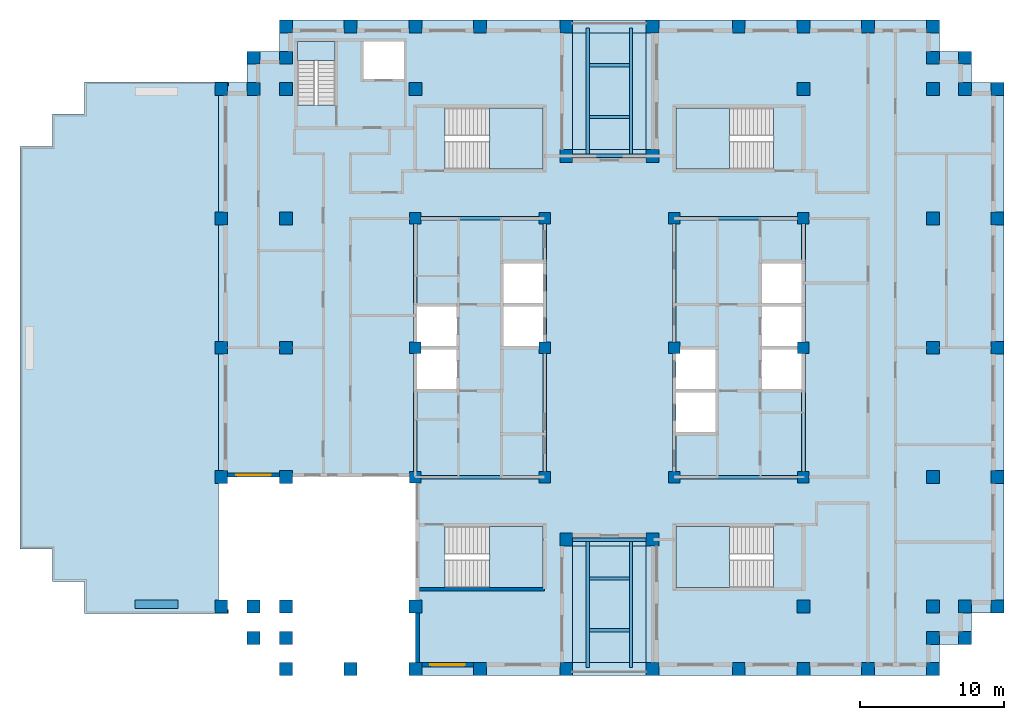
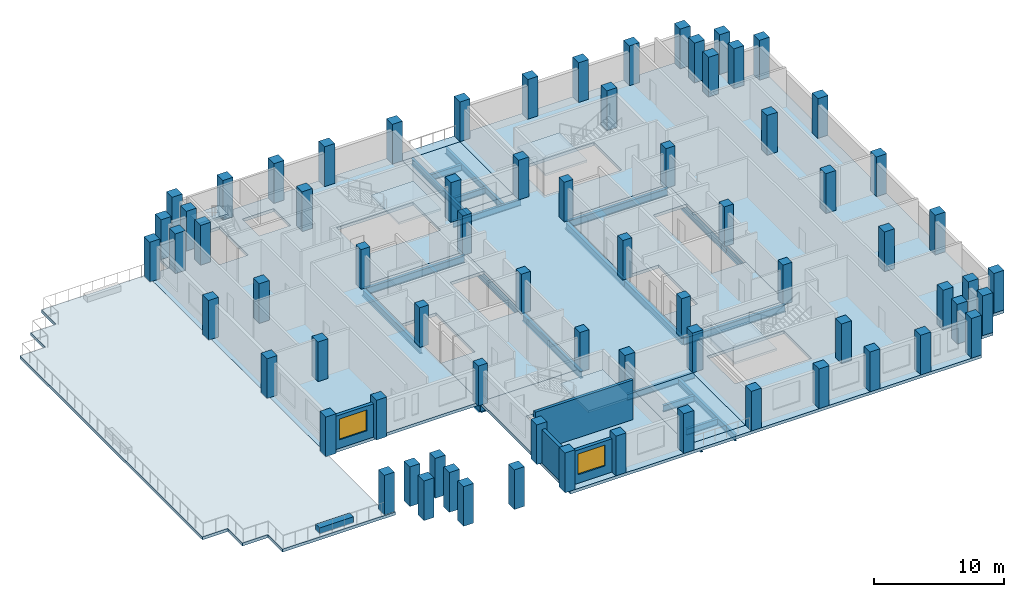
# One storey, part 1 of 10: 72 columns, 22 beams, 11 slabs, 5 walls, 2 windows, 2 openings, 5 elements without a shape of their own.
"""IFC4 building model written with IfcOpenShell, lengths in metres."""

import ifcopenshell
import ifcopenshell.guid

model = None  # the IFC model being written
_history = None  # IfcOwnerHistory: only IFC2X3 demands one
_inside = {}  # id of a spatial element -> (the spatial element, [elements in it])
_under = {}  # id of a project, library or spatial element -> (it, [spatial elements below it])
_declared = {}  # id of a project -> (the project, [libraries it declares])
_typed = {}  # id of a type object -> (the type object, [elements of that type])
_made_of = {}  # id of a material, layer set ... -> (it, [elements and type objects made of it])


def new_model(schema):
    """Start an empty IFC model of exactly this schema.

    Asked for "IFC4X3", IfcOpenShell would pick the latest addendum, in which some entities
    have other attributes; the version numbers below select the first issue.
    IFC2X3 requires an IfcOwnerHistory on every rooted entity: one is made here for all.
    """
    global model, _history
    if schema == "IFC4X3":
        model = ifcopenshell.file(schema_version=(4, 3, 0, 0))
    else:
        model = ifcopenshell.file(schema=schema)
    _inside.clear()
    _under.clear()
    _declared.clear()
    _typed.clear()
    _made_of.clear()
    _history = None
    if model.schema == "IFC2X3":
        org = make("IfcOrganization", Name="unknown")
        user = make(
            "IfcPersonAndOrganization",
            ThePerson=make("IfcPerson", FamilyName="unknown"),
            TheOrganization=org,
        )
        app = make(
            "IfcApplication",
            ApplicationDeveloper=org,
            Version="unknown",
            ApplicationFullName="unknown",
            ApplicationIdentifier="unknown",
        )
        _history = make(
            "IfcOwnerHistory",
            OwningUser=user,
            OwningApplication=app,
            ChangeAction="ADDED",
            CreationDate=0,
        )
    return model


def make(cls, **values):
    """One entity of the class cls with the attributes given. An attribute that is None is left unset."""
    return model.create_entity(
        cls, **{name: value for name, value in values.items() if value is not None}
    )


def rooted(cls, **values):
    """An entity with a GlobalId (a new one), such as an element, a storey or a relation."""
    return make(cls, GlobalId=ifcopenshell.guid.new(), OwnerHistory=_history, **values)


def si_unit(unit_type, name, prefix=None):
    """IfcSIUnit, for example si_unit("LENGTHUNIT", "METRE", prefix="MILLI")."""
    return make("IfcSIUnit", UnitType=unit_type, Prefix=prefix, Name=name)


def assignment(units):
    """IfcUnitAssignment: the units of a project."""
    return None if units is None else make("IfcUnitAssignment", Units=units)


def point(xyz):
    """IfcCartesianPoint."""
    return None if xyz is None else make("IfcCartesianPoint", Coordinates=xyz)


def direction(xyz):
    """IfcDirection."""
    return None if xyz is None else make("IfcDirection", DirectionRatios=xyz)


def frame(location, z_axis=None, x_axis=None):
    """IfcAxis2Placement3D, a coordinate frame: its origin and axes. An axis left out is left unset."""
    return make(
        "IfcAxis2Placement3D",
        Location=point(location),
        Axis=direction(z_axis),
        RefDirection=direction(x_axis),
    )


def frame_2d(location, x_axis=None):
    """IfcAxis2Placement2D, a coordinate frame in the plane: its origin and x axis."""
    return make(
        "IfcAxis2Placement2D", Location=point(location), RefDirection=direction(x_axis)
    )


def origin():
    """The frame at (0, 0, 0) with its axes left unset."""
    return frame((0.0, 0.0, 0.0))


def origin_2d():
    """The frame at (0, 0) in the plane with its x axis left unset."""
    return frame_2d((0.0, 0.0))


def place(relative_to, where):
    """IfcLocalPlacement: puts the frame where relative to a parent placement (None: the world)."""
    return make(
        "IfcLocalPlacement", PlacementRelTo=relative_to, RelativePlacement=where
    )


def context(
    kind, dimensions, precision=None, world=None, true_north=None, identifier=None
):
    """IfcGeometricRepresentationContext, for example the 3D "Model" context."""
    return make(
        "IfcGeometricRepresentationContext",
        ContextIdentifier=identifier,
        ContextType=kind,
        CoordinateSpaceDimension=dimensions,
        Precision=precision,
        WorldCoordinateSystem=world,
        TrueNorth=true_north,
    )


def subcontext(parent, identifier, kind, view, scale=None):
    """IfcGeometricRepresentationSubContext, for example "Body" below "Model"."""
    return make(
        "IfcGeometricRepresentationSubContext",
        ContextIdentifier=identifier,
        ContextType=kind,
        ParentContext=parent,
        TargetScale=scale,
        TargetView=view,
    )


def project(units=None, contexts=None):
    """IfcProject with its units and contexts."""
    return rooted(
        "IfcProject",
        Name="project",
        RepresentationContexts=contexts,
        UnitsInContext=assignment(units),
    )


def spatial(cls, under=None, at=None, **own):
    """A site, building, storey or space (cls), placed at a placement, below another one or the project."""
    s = rooted(cls, ObjectPlacement=at, **own)
    if under is not None:
        _under.setdefault(under.id(), (under, []))[1].append(s)
    return s


def polyline(points):
    """IfcPolyline through the points."""
    return make("IfcPolyline", Points=[point(p) for p in points])


def profile(cls, at=None, kind="AREA", **sizes):
    """A parametric profile (cls). Its sizes go by their IFC names, for example OverallWidth=200.0."""
    return make(cls, ProfileType=kind, Position=at, **sizes)


def rectangle(**sizes):
    """IfcRectangleProfileDef."""
    return profile("IfcRectangleProfileDef", **sizes)


def i_section(**sizes):
    """IfcIShapeProfileDef."""
    return profile("IfcIShapeProfileDef", **sizes)


def outline(outer, holes=None, kind="AREA"):
    """IfcArbitraryClosedProfileDef: a profile drawn as a closed curve; with holes, ...WithVoids."""
    if holes is None:
        return make("IfcArbitraryClosedProfileDef", ProfileType=kind, OuterCurve=outer)
    return make(
        "IfcArbitraryProfileDefWithVoids",
        ProfileType=kind,
        OuterCurve=outer,
        InnerCurves=holes,
    )


def extrude(swept, where, along, depth):
    """IfcExtrudedAreaSolid: the profile swept, set in the frame where, extruded along a direction by depth."""
    return make(
        "IfcExtrudedAreaSolid",
        SweptArea=swept,
        Position=where,
        ExtrudedDirection=direction(along),
        Depth=depth,
    )


def shape(context_of_items, identifier, shape_type, items):
    """IfcShapeRepresentation: the items that make up one representation, for example the "Body"."""
    return make(
        "IfcShapeRepresentation",
        ContextOfItems=context_of_items,
        RepresentationIdentifier=identifier,
        RepresentationType=shape_type,
        Items=items,
    )


def material(Name=None, Category=None):
    """IfcMaterial."""
    return make("IfcMaterial", Name=Name, Category=Category)


def layer(
    of_material, thickness, ventilated=None, Name=None, Category=None, Priority=None
):
    """IfcMaterialLayer: one layer of a wall or slab, of a material (None: an air gap)."""
    return make(
        "IfcMaterialLayer",
        Material=of_material,
        LayerThickness=thickness,
        IsVentilated=ventilated,
        Name=Name,
        Category=Category,
        Priority=Priority,
    )


def layer_set(layers, Name=None):
    """IfcMaterialLayerSet."""
    return make("IfcMaterialLayerSet", MaterialLayers=layers, LayerSetName=Name)


def material_profile(
    of_material, cross_section, Name=None, Category=None, Priority=None
):
    """IfcMaterialProfile: a cross section and its material."""
    return make(
        "IfcMaterialProfile",
        Name=Name,
        Material=of_material,
        Profile=cross_section,
        Priority=Priority,
        Category=Category,
    )


def profile_set(profiles, Name=None, composite=None):
    """IfcMaterialProfileSet."""
    return make(
        "IfcMaterialProfileSet",
        Name=Name,
        MaterialProfiles=profiles,
        CompositeProfile=composite,
    )


def made_of(thing, what):
    """Note that an element or type object is made of a material, layer set ...; save() writes the relation."""
    if what is not None:
        _made_of.setdefault(what.id(), (what, []))[1].append(thing)
    return thing


def type_object(cls, material=None, **own):
    """A type object (cls), such as IfcWallType, which elements share."""
    return made_of(rooted(cls, **own), material)


def element(
    cls,
    number,
    at=None,
    inside=None,
    cuts=None,
    type_object=None,
    material=None,
    context=None,
    identifier="Body",
    shape_type=None,
    held_by="IfcProductDefinitionShape",
    body=None,
    shapes=None,
    **own,
):
    """One element of the class cls, such as IfcWall. Its Tag is "e" and its number.

    at: its placement. inside: the storey or other place that contains it. cuts: it is an
    opening in that element (IfcRelVoidsElement). A single representation is given by context,
    identifier, shape_type and body (its items); several are given by shapes. held_by: the class
    of the entity that holds the representations. save() writes the other relations.
    """
    e = rooted(cls, Tag="e%d" % number, ObjectPlacement=at, **own)
    if body is not None:
        shapes = [shape(context, identifier, shape_type, body)]
    if shapes is not None:
        e.Representation = make(held_by, Representations=shapes)
    if inside is not None:
        _inside.setdefault(inside.id(), (inside, []))[1].append(e)
    if cuts is not None:
        rooted(
            "IfcRelVoidsElement", RelatingBuildingElement=cuts, RelatedOpeningElement=e
        )
    if type_object is not None:
        _typed.setdefault(type_object.id(), (type_object, []))[1].append(e)
    return made_of(e, material)


def fill(opening, filler):
    """IfcRelFillsElement: the door or window that sits in an opening."""
    return rooted(
        "IfcRelFillsElement",
        RelatingOpeningElement=opening,
        RelatedBuildingElement=filler,
    )


def aggregate(whole, parts):
    """IfcRelAggregates: a whole, such as a stair, and the parts it consists of."""
    return rooted("IfcRelAggregates", RelatingObject=whole, RelatedObjects=parts)


def save(model, path):
    """Write the relations noted so far, then the file.

    IfcRelAggregates (storeys below a building ...), IfcRelContainedInSpatialStructure (elements
    in a storey), IfcRelDefinesByType, IfcRelAssociatesMaterial and IfcRelDeclares: one each for
    every whole, place, type object, material and project.
    """
    for whole, parts in _under.values():
        aggregate(whole, parts)
    for where, things in _inside.values():
        rooted(
            "IfcRelContainedInSpatialStructure",
            RelatedElements=things,
            RelatingStructure=where,
        )
    for kind, things in _typed.values():
        rooted("IfcRelDefinesByType", RelatedObjects=things, RelatingType=kind)
    for what, things in _made_of.values():
        rooted("IfcRelAssociatesMaterial", RelatedObjects=things, RelatingMaterial=what)
    for by, libraries in _declared.values():
        rooted("IfcRelDeclares", RelatingContext=by, RelatedDefinitions=libraries)
    model.write(path)


model = new_model("IFC4")

# Units and contexts
model_context = context("Model", 3, precision=1e-05, world=origin(), true_north=direction((0.0, 1.0)))
body_context = subcontext(model_context, "Body", "Model", "MODEL_VIEW")
ifc_project = project(units=[si_unit("LENGTHUNIT", "METRE"), si_unit("AREAUNIT", "SQUARE_METRE"), si_unit("VOLUMEUNIT", "CUBIC_METRE"), si_unit("PLANEANGLEUNIT", "RADIAN"), si_unit("MASSUNIT", "GRAM", prefix="KILO")], contexts=[model_context])

# Site, building, storey
site_placement = place(None, origin())
site = spatial("IfcSite", under=ifc_project, at=site_placement, CompositionType="ELEMENT")
building_placement = place(site_placement, origin())
building = spatial("IfcBuilding", under=site, at=building_placement, Name="Corbelhall Arena Tower", CompositionType="ELEMENT")
storey_placement = place(building_placement, frame((0.0, 0.0, 242.0)))
storey = spatial("IfcBuildingStorey", under=building, at=storey_placement, Name="L51", CompositionType="ELEMENT", Elevation=242.0)

# Columns
ifc_material_1 = material(Name="Concrete C80/95", Category="concrete")
ifc_material_profile_1 = material_profile(ifc_material_1, rectangle(XDim=0.800048828125, YDim=0.800048828125, at=origin_2d()))
ifc_profile_set_1 = profile_set([ifc_material_profile_1], Name="Concrete C80/95")
column_type_1 = type_object("IfcColumnType", Name="ST-COL-RC 800x800", PredefinedType="COLUMN", material=ifc_profile_set_1)
for number, where, z_axis, x_axis, name in (
    (1, (4.5, 0.0, 0.0), (0.0, 0.0, 1.0), (1.0, 0.0, 0.0), "Column KE+0450+0000"),
    (2, (4.5, 9.0, 0.0), (0.0, 0.0, 1.0), (1.0, 0.0, 0.0), "Column KE+0450+0900"),
    (3, (4.5, -9.0, 0.0), (0.0, 0.0, 1.0), (1.0, 0.0, 0.0), "Column KE+0450-0900"),
    (4, (13.5, 0.0, 0.0), (0.0, 0.0, 1.0), (1.0, 0.0, 0.0), "Column KE+1350+0000"),
    (5, (13.5, 9.0, 0.0), (0.0, 0.0, 1.0), (1.0, 0.0, 0.0), "Column KE+1350+0900"),
    (6, (13.5, -9.0, 0.0), (0.0, 0.0, 1.0), (1.0, 0.0, 0.0), "Column KE+1350-0900"),
    (7, (-4.5, 0.0, 0.0), (0.0, 0.0, 1.0), (1.0, 0.0, 0.0), "Column KW-0450+0000"),
    (8, (-4.5, 9.0, 0.0), (0.0, 0.0, 1.0), (1.0, 0.0, 0.0), "Column KW-0450+0900"),
    (9, (-4.5, -9.0, 0.0), (0.0, 0.0, 1.0), (1.0, 0.0, 0.0), "Column KW-0450-0900"),
    (10, (-13.5, 0.0, 0.0), (0.0, 0.0, 1.0), (1.0, 0.0, 0.0), "Column KW-1350+0000"),
    (11, (-13.5, 9.0, 0.0), (0.0, 0.0, 1.0), (1.0, 0.0, 0.0), "Column KW-1350+0900"),
    (12, (-13.5, -9.0, 0.0), (0.0, 0.0, 1.0), (1.0, 0.0, 0.0), "Column KW-1350-0900"),
):
    element("IfcColumn", number, at=place(storey_placement, frame(where, z_axis=z_axis, x_axis=x_axis)), inside=storey, type_object=column_type_1, Name=name, PredefinedType="COLUMN", context=body_context, shape_type="SweptSolid", body=[
        extrude(rectangle(XDim=0.800048828125, YDim=0.800048828125, at=origin_2d()), origin(), (0.0, 0.0, 1.0), 3.719970703125),
    ])
ifc_material_profile_2 = material_profile(ifc_material_1, rectangle(XDim=0.89990234375, YDim=0.89990234375, at=origin_2d()))
ifc_profile_set_2 = profile_set([ifc_material_profile_2], Name="Concrete C80/95")
column_type_2 = type_object("IfcColumnType", Name="ST-COL-RC 900x900", PredefinedType="COLUMN", material=ifc_profile_set_2)
for number, where, z_axis, x_axis, name in (
    (13, (13.5, 18.0, 0.0), (0.0, 0.0, 1.0), (1.0, 0.0, 0.0), "Column IE13+1800"),
    (14, (13.5, -18.0, 0.0), (0.0, 0.0, 1.0), (1.0, 0.0, 0.0), "Column IE13-1800"),
    (15, (22.5, 0.0, 0.0), (0.0, 0.0, 1.0), (1.0, 0.0, 0.0), "Column IE22+0000"),
    (16, (22.5, 9.0, 0.0), (0.0, 0.0, 1.0), (1.0, 0.0, 0.0), "Column IE22+0900"),
    (17, (22.5, 18.0, 0.0), (0.0, 0.0, 1.0), (1.0, 0.0, 0.0), "Column IE22+1800"),
    (18, (22.5, -9.0, 0.0), (0.0, 0.0, 1.0), (1.0, 0.0, 0.0), "Column IE22-0900"),
    (19, (22.5, -18.0, 0.0), (0.0, 0.0, 1.0), (1.0, 0.0, 0.0), "Column IE22-1800"),
    (20, (-13.5, 18.0, 0.0), (0.0, 0.0, 1.0), (1.0, 0.0, 0.0), "Column IW13+1800"),
    (21, (-13.5, -18.0, 0.0), (0.0, 0.0, 1.0), (1.0, 0.0, 0.0), "Column IW13-1800"),
    (22, (-22.5, 0.0, 0.0), (0.0, 0.0, 1.0), (1.0, 0.0, 0.0), "Column IW22+0000"),
    (23, (-22.5, 9.0, 0.0), (0.0, 0.0, 1.0), (1.0, 0.0, 0.0), "Column IW22+0900"),
    (24, (-22.5, 18.0, 0.0), (0.0, 0.0, 1.0), (1.0, 0.0, 0.0), "Column IW22+1800"),
    (25, (-22.5, -9.0, 0.0), (0.0, 0.0, 1.0), (1.0, 0.0, 0.0), "Column IW22-0900"),
    (26, (-22.5, -18.0, 0.0), (0.0, 0.0, 1.0), (1.0, 0.0, 0.0), "Column IW22-1800"),
    (27, (27.0, 0.0, 0.0), (0.0, 0.0, 1.0), (0.0, 1.0, 0.0), "Column PE+0000"),
    (28, (27.0, 9.0, 0.0), (0.0, 0.0, 1.0), (0.0, 1.0, 0.0), "Column PE+0900"),
    (29, (27.0, 18.0, 0.0), (0.0, 0.0, 1.0), (0.0, 1.0, 0.0), "Column PE+1800"),
    (30, (27.0, -9.0, 0.0), (0.0, 0.0, 1.0), (0.0, 1.0, 0.0), "Column PE-0900"),
    (31, (27.0, -18.0, 0.0), (0.0, 0.0, 1.0), (0.0, 1.0, 0.0), "Column PE-1800"),
    (32, (3.0, 22.35009765625, 0.0), (0.0, 0.0, 1.0), (1.0, 0.0, 0.0), "Column PNE0300"),
    (33, (9.0, 22.35009765625, 0.0), (0.0, 0.0, 1.0), (1.0, 0.0, 0.0), "Column PNE0900"),
    (34, (13.5, 22.35009765625, 0.0), (0.0, 0.0, 1.0), (1.0, 0.0, 0.0), "Column PNE1350"),
    (35, (18.0, 22.35009765625, 0.0), (0.0, 0.0, 1.0), (1.0, 0.0, 0.0), "Column PNE1800"),
    (36, (22.5, 22.35009765625, 0.0), (0.0, 0.0, 1.0), (1.0, 0.0, 0.0), "Column PNE2250"),
    (37, (-3.0, 22.35009765625, 0.0), (0.0, 0.0, 1.0), (1.0, 0.0, 0.0), "Column PNW0300"),
    (38, (-9.0, 22.35009765625, 0.0), (0.0, 0.0, 1.0), (1.0, 0.0, 0.0), "Column PNW0900"),
    (39, (-13.5, 22.35009765625, 0.0), (0.0, 0.0, 1.0), (1.0, 0.0, 0.0), "Column PNW1350"),
    (40, (-18.0, 22.35009765625, 0.0), (0.0, 0.0, 1.0), (1.0, 0.0, 0.0), "Column PNW1800"),
    (41, (-22.5, 22.35009765625, 0.0), (0.0, 0.0, 1.0), (1.0, 0.0, 0.0), "Column PNW2250"),
    (42, (3.0, -22.35009765625, 0.0), (0.0, 0.0, 1.0), (1.0, 0.0, 0.0), "Column PSE0300"),
    (43, (9.0, -22.35009765625, 0.0), (0.0, 0.0, 1.0), (1.0, 0.0, 0.0), "Column PSE0900"),
    (44, (13.5, -22.35009765625, 0.0), (0.0, 0.0, 1.0), (1.0, 0.0, 0.0), "Column PSE1350"),
    (45, (18.0, -22.35009765625, 0.0), (0.0, 0.0, 1.0), (1.0, 0.0, 0.0), "Column PSE1800"),
    (46, (22.5, -22.35009765625, 0.0), (0.0, 0.0, 1.0), (1.0, 0.0, 0.0), "Column PSE2250"),
    (47, (-3.0, -22.35009765625, 0.0), (0.0, 0.0, 1.0), (1.0, 0.0, 0.0), "Column PSW0300"),
    (48, (-9.0, -22.35009765625, 0.0), (0.0, 0.0, 1.0), (1.0, 0.0, 0.0), "Column PSW0900"),
    (49, (-13.5, -22.35009765625, 0.0), (0.0, 0.0, 1.0), (1.0, 0.0, 0.0), "Column PSW1350"),
    (50, (-18.0, -22.35009765625, 0.0), (0.0, 0.0, 1.0), (1.0, 0.0, 0.0), "Column PSW1800"),
    (51, (-22.5, -22.35009765625, 0.0), (0.0, 0.0, 1.0), (1.0, 0.0, 0.0), "Column PSW2250"),
    (52, (-27.0, 0.0, 0.0), (0.0, 0.0, 1.0), (0.0, 1.0, 0.0), "Column PW+0000"),
    (53, (-27.0, 9.0, 0.0), (0.0, 0.0, 1.0), (0.0, 1.0, 0.0), "Column PW+0900"),
    (54, (-27.0, 18.0, 0.0), (0.0, 0.0, 1.0), (0.0, 1.0, 0.0), "Column PW+1800"),
    (55, (-27.0, -9.0, 0.0), (0.0, 0.0, 1.0), (0.0, 1.0, 0.0), "Column PW-0900"),
    (56, (-27.0, -18.0, 0.0), (0.0, 0.0, 1.0), (0.0, 1.0, 0.0), "Column PW-1800"),
    (57, (3.0, 13.35009765625, 0.0), (0.0, 0.0, 1.0), (1.0, 0.0, 0.0), "Column SLNE2"),
    (58, (-3.0, 13.35009765625, 0.0), (0.0, 0.0, 1.0), (1.0, 0.0, 0.0), "Column SLNW2"),
    (59, (3.0, -13.35009765625, 0.0), (0.0, 0.0, 1.0), (1.0, 0.0, 0.0), "Column SLSE2"),
    (60, (-3.0, -13.35009765625, 0.0), (0.0, 0.0, 1.0), (1.0, 0.0, 0.0), "Column SLSW2"),
    (61, (22.5, 20.175048828125, 0.0), (0.0, 0.0, 1.0), (1.0, 0.0, 0.0), "Column XNE1"),
    (62, (24.75, 20.175048828125, 0.0), (0.0, 0.0, 1.0), (1.0, 0.0, 0.0), "Column XNE2"),
    (63, (24.75, 18.0, 0.0), (0.0, 0.0, 1.0), (1.0, 0.0, 0.0), "Column XNE3"),
    (64, (-22.5, 20.175048828125, 0.0), (0.0, 0.0, 1.0), (1.0, 0.0, 0.0), "Column XNW1"),
    (65, (-24.75, 20.175048828125, 0.0), (0.0, 0.0, 1.0), (1.0, 0.0, 0.0), "Column XNW2"),
    (66, (-24.75, 18.0, 0.0), (0.0, 0.0, 1.0), (1.0, 0.0, 0.0), "Column XNW3"),
    (67, (22.5, -20.175048828125, 0.0), (0.0, 0.0, 1.0), (1.0, 0.0, 0.0), "Column XSE1"),
    (68, (24.75, -20.175048828125, 0.0), (0.0, 0.0, 1.0), (1.0, 0.0, 0.0), "Column XSE2"),
    (69, (24.75, -18.0, 0.0), (0.0, 0.0, 1.0), (1.0, 0.0, 0.0), "Column XSE3"),
    (70, (-22.5, -20.175048828125, 0.0), (0.0, 0.0, 1.0), (1.0, 0.0, 0.0), "Column XSW1"),
    (71, (-24.75, -20.175048828125, 0.0), (0.0, 0.0, 1.0), (1.0, 0.0, 0.0), "Column XSW2"),
    (72, (-24.75, -18.0, 0.0), (0.0, 0.0, 1.0), (1.0, 0.0, 0.0), "Column XSW3"),
):
    element("IfcColumn", number, at=place(storey_placement, frame(where, z_axis=z_axis, x_axis=x_axis)), inside=storey, type_object=column_type_2, Name=name, PredefinedType="COLUMN", context=body_context, shape_type="SweptSolid", body=[
        extrude(rectangle(XDim=0.89990234375, YDim=0.89990234375, at=origin_2d()), origin(), (0.0, 0.0, 1.0), 3.719970703125),
    ])

# Beams
ifc_material_2 = material(Name="Steel ASTM A992 Gr50", Category="steel")
ifc_material_profile_3 = material_profile(ifc_material_2, i_section(OverallWidth=0.227783203125, OverallDepth=0.60205078125, WebThickness=0.010498046875, FlangeThickness=0.014892578125, at=origin_2d()))
ifc_profile_set_3 = profile_set([ifc_material_profile_3], Name="Steel ASTM A992 Gr50")
beam_type_1 = type_object("IfcBeamType", Name="ST-BEAM-W24x68", PredefinedType="BEAM", material=ifc_profile_set_3)
beam_1_placement = place(storey_placement, frame((-3.0, 13.35009765625, -0.5810546875), z_axis=(1.0, 0.0, 0.0), x_axis=(0.0, 1.0, 0.0)))
element("IfcBeam", 73, at=beam_1_placement, inside=storey, type_object=beam_type_1, Name="Beam SFN 1", PredefinedType="BEAM", context=body_context, shape_type="SweptSolid", body=[
    extrude(i_section(OverallWidth=0.227783203125, OverallDepth=0.60205078125, WebThickness=0.010498046875, FlangeThickness=0.014892578125, at=origin_2d()), origin(), (0.0, 0.0, 1.0), 6.0),
])
for number, where, z_axis, x_axis, name in (
    (74, (-1.5, 13.4638671875, -0.5810546875), (0.0, 1.0, 0.0), (-1.0, 0.0, 0.0), "Beam SFN 2"),
    (75, (1.5, 13.4638671875, -0.5810546875), (0.0, 1.0, 0.0), (-1.0, 0.0, 0.0), "Beam SFN 3"),
):
    element("IfcBeam", number, at=place(storey_placement, frame(where, z_axis=z_axis, x_axis=x_axis)), inside=storey, type_object=beam_type_1, Name=name, PredefinedType="BEAM", context=body_context, shape_type="SweptSolid", body=[
        extrude(i_section(OverallWidth=0.227783203125, OverallDepth=0.60205078125, WebThickness=0.010498046875, FlangeThickness=0.014892578125, at=origin_2d()), origin(), (0.0, 0.0, 1.0), 8.772216796875),
    ])
for number, where, z_axis, x_axis, name in (
    (76, (-1.385986328125, 16.050048828125, -0.5810546875), (1.0, 0.0, 0.0), (0.0, 1.0, 0.0), "Beam SFN 4"),
    (77, (-1.385986328125, 19.64990234375, -0.5810546875), (1.0, 0.0, 0.0), (0.0, 1.0, 0.0), "Beam SFN 5"),
):
    element("IfcBeam", number, at=place(storey_placement, frame(where, z_axis=z_axis, x_axis=x_axis)), inside=storey, type_object=beam_type_1, Name=name, PredefinedType="BEAM", context=body_context, shape_type="SweptSolid", body=[
        extrude(i_section(OverallWidth=0.227783203125, OverallDepth=0.60205078125, WebThickness=0.010498046875, FlangeThickness=0.014892578125, at=origin_2d()), origin(), (0.0, 0.0, 1.0), 2.77197265625),
    ])
beam_2_placement = place(storey_placement, frame((-3.0, -13.35009765625, -0.5810546875), z_axis=(1.0, 0.0, 0.0), x_axis=(0.0, 1.0, 0.0)))
element("IfcBeam", 78, at=beam_2_placement, inside=storey, type_object=beam_type_1, Name="Beam SFS 1", PredefinedType="BEAM", context=body_context, shape_type="SweptSolid", body=[
    extrude(i_section(OverallWidth=0.227783203125, OverallDepth=0.60205078125, WebThickness=0.010498046875, FlangeThickness=0.014892578125, at=origin_2d()), origin(), (0.0, 0.0, 1.0), 6.0),
])
for number, where, z_axis, x_axis, name in (
    (79, (-1.5, -13.4638671875, -0.5810546875), (0.0, -1.0, 0.0), (1.0, 0.0, 0.0), "Beam SFS 2"),
    (80, (1.5, -13.4638671875, -0.5810546875), (0.0, -1.0, 0.0), (1.0, 0.0, 0.0), "Beam SFS 3"),
):
    element("IfcBeam", number, at=place(storey_placement, frame(where, z_axis=z_axis, x_axis=x_axis)), inside=storey, type_object=beam_type_1, Name=name, PredefinedType="BEAM", context=body_context, shape_type="SweptSolid", body=[
        extrude(i_section(OverallWidth=0.227783203125, OverallDepth=0.60205078125, WebThickness=0.010498046875, FlangeThickness=0.014892578125, at=origin_2d()), origin(), (0.0, 0.0, 1.0), 8.772216796875),
    ])
for number, where, z_axis, x_axis, name in (
    (81, (-1.385986328125, -16.050048828125, -0.5810546875), (1.0, 0.0, 0.0), (0.0, 1.0, 0.0), "Beam SFS 4"),
    (82, (-1.385986328125, -19.64990234375, -0.5810546875), (1.0, 0.0, 0.0), (0.0, 1.0, 0.0), "Beam SFS 5"),
):
    element("IfcBeam", number, at=place(storey_placement, frame(where, z_axis=z_axis, x_axis=x_axis)), inside=storey, type_object=beam_type_1, Name=name, PredefinedType="BEAM", context=body_context, shape_type="SweptSolid", body=[
        extrude(i_section(OverallWidth=0.227783203125, OverallDepth=0.60205078125, WebThickness=0.010498046875, FlangeThickness=0.014892578125, at=origin_2d()), origin(), (0.0, 0.0, 1.0), 2.77197265625),
    ])
ifc_material_profile_4 = material_profile(ifc_material_2, i_section(OverallWidth=0.25390625, OverallDepth=0.67822265625, WebThickness=0.01171875, FlangeThickness=0.016357421875, at=origin_2d()))
ifc_profile_set_4 = profile_set([ifc_material_profile_4], Name="Steel ASTM A992 Gr50")
beam_type_2 = type_object("IfcBeamType", Name="ST-BEAM-W27x84", PredefinedType="BEAM", material=ifc_profile_set_4)
for number, where, z_axis, x_axis, name in (
    (83, (-13.5, -9.0, -0.619140625), (0.0, 1.0, 0.0), (-1.0, 0.0, 0.0), "Beam CEW 1"),
    (84, (-13.5, 0.0, -0.619140625), (0.0, 1.0, 0.0), (-1.0, 0.0, 0.0), "Beam CEW 2"),
    (85, (-4.5, -9.0, -0.619140625), (0.0, 1.0, 0.0), (-1.0, 0.0, 0.0), "Beam CEW 3"),
    (86, (-4.5, 0.0, -0.619140625), (0.0, 1.0, 0.0), (-1.0, 0.0, 0.0), "Beam CEW 4"),
    (87, (-13.5, -9.0, -0.619140625), (1.0, 0.0, 0.0), (0.0, 1.0, 0.0), "Beam CEW 5"),
    (88, (-13.5, 9.0, -0.619140625), (1.0, 0.0, 0.0), (0.0, 1.0, 0.0), "Beam CEW 6"),
    (89, (4.5, -9.0, -0.619140625), (0.0, 1.0, 0.0), (-1.0, 0.0, 0.0), "Beam CEE 7"),
    (90, (4.5, 0.0, -0.619140625), (0.0, 1.0, 0.0), (-1.0, 0.0, 0.0), "Beam CEE 8"),
    (91, (13.5, -9.0, -0.619140625), (0.0, 1.0, 0.0), (-1.0, 0.0, 0.0), "Beam CEE 9"),
    (92, (13.5, 0.0, -0.619140625), (0.0, 1.0, 0.0), (-1.0, 0.0, 0.0), "Beam CEE 10"),
    (93, (4.5, -9.0, -0.619140625), (1.0, 0.0, 0.0), (0.0, 1.0, 0.0), "Beam CEE 11"),
    (94, (4.5, 9.0, -0.619140625), (1.0, 0.0, 0.0), (0.0, 1.0, 0.0), "Beam CEE 12"),
):
    element("IfcBeam", number, at=place(storey_placement, frame(where, z_axis=z_axis, x_axis=x_axis)), inside=storey, type_object=beam_type_2, Name=name, PredefinedType="BEAM", context=body_context, shape_type="SweptSolid", body=[
        extrude(i_section(OverallWidth=0.25390625, OverallDepth=0.67822265625, WebThickness=0.01171875, FlangeThickness=0.016357421875, at=origin_2d()), origin(), (0.0, 0.0, 1.0), 9.0),
    ])

# Slabs
ifc_material_3 = material(Name="Concrete C40/50", Category="concrete")
ifc_layer_1 = layer(ifc_material_3, 0.300048828125)
ifc_layer_set_1 = layer_set([ifc_layer_1], Name="IN-SL-CORE")
slab_type_1 = type_object("IfcSlabType", Name="IN-SL-CORE", PredefinedType="FLOOR", material=ifc_layer_set_1)
slab_1_placement = place(storey_placement, frame((0.0, 0.0, -0.280029296875)))
element("IfcSlab", 95, at=slab_1_placement, inside=storey, type_object=slab_type_1, Name="Core floor W", PredefinedType="FLOOR", context=body_context, shape_type="SweptSolid", body=[
    extrude(outline(polyline([(-10.5, -3.0), (-13.5, -3.0), (-13.5, -9.0), (-4.5, -9.0), (-4.5, 0.0), (-7.5, 0.0), (-7.5, 3.0), (-7.5, 6.0), (-4.5, 6.0), (-4.5, 9.0), (-13.5, 9.0), (-13.5, 3.0), (-10.5, 3.0), (-10.5, 0.0), (-10.5, -3.0)])), origin(), (0.0, 0.0, 1.0), 0.280029296875),
])
slab_2_placement = place(storey_placement, frame((0.0, 0.0, -0.280029296875)))
element("IfcSlab", 96, at=slab_2_placement, inside=storey, type_object=slab_type_1, Name="Core floor E", PredefinedType="FLOOR", context=body_context, shape_type="SweptSolid", body=[
    extrude(outline(polyline([(13.5, -3.0), (10.5, -3.0), (10.5, 0.0), (10.5, 3.0), (10.5, 6.0), (13.5, 6.0), (13.5, 9.0), (4.5, 9.0), (4.5, 0.0), (7.5, 0.0), (7.5, -3.0), (7.5, -6.0), (4.5, -6.0), (4.5, -9.0), (13.5, -9.0), (13.5, -3.0)])), origin(), (0.0, 0.0, 1.0), 0.280029296875),
])

# Stair, slab
stair_type = type_object("IfcStairType", Name="IN-ST-TOWER", PredefinedType="HALF_TURN_STAIR", material=ifc_material_3)
stair_1_placement = place(storey_placement, origin())
stair_1 = element("IfcStair", 97, at=stair_1_placement, inside=storey, type_object=stair_type, Name="L51 Exit stair ST1", PredefinedType="HALF_TURN_STAIR")
ifc_layer_2 = layer(ifc_material_3, 0.199951171875)
ifc_layer_set_2 = layer_set([ifc_layer_2], Name="IN-SL-LANDING")
slab_type_2 = type_object("IfcSlabType", Name="IN-SL-LANDING", PredefinedType="LANDING", material=ifc_layer_set_2)
slab_3_placement = place(storey_placement, frame((0.0, 0.0, 1.800048828125)))
slab_3 = element("IfcSlab", 98, at=slab_3_placement, type_object=slab_type_2, Name="ST1 landing 1", PredefinedType="LANDING", context=body_context, shape_type="SweptSolid", body=[
    extrude(outline(polyline([(-8.344970703125, 12.425048828125), (-4.625, 12.425048828125), (-4.625, 16.675048828125), (-8.344970703125, 16.675048828125), (-8.344970703125, 12.425048828125)])), origin(), (0.0, 0.0, 1.0), 0.199951171875),
])
aggregate(stair_1, [slab_3])

stair_2_placement = place(storey_placement, origin())
stair_2 = element("IfcStair", 99, at=stair_2_placement, inside=storey, type_object=stair_type, Name="L51 Exit stair ST2", PredefinedType="HALF_TURN_STAIR")
slab_4_placement = place(storey_placement, frame((0.0, 0.0, 1.800048828125)))
slab_4 = element("IfcSlab", 100, at=slab_4_placement, type_object=slab_type_2, Name="ST2 landing 1", PredefinedType="LANDING", context=body_context, shape_type="SweptSolid", body=[
    extrude(outline(polyline([(-8.344970703125, -16.675048828125), (-4.625, -16.675048828125), (-4.625, -12.425048828125), (-8.344970703125, -12.425048828125), (-8.344970703125, -16.675048828125)])), origin(), (0.0, 0.0, 1.0), 0.199951171875),
])
aggregate(stair_2, [slab_4])

stair_3_placement = place(storey_placement, origin())
stair_3 = element("IfcStair", 101, at=stair_3_placement, inside=storey, type_object=stair_type, Name="L51 Exit stair ST3", PredefinedType="HALF_TURN_STAIR")
slab_5_placement = place(storey_placement, frame((0.0, 0.0, 1.800048828125)))
slab_5 = element("IfcSlab", 102, at=slab_5_placement, type_object=slab_type_2, Name="ST3 landing 1", PredefinedType="LANDING", context=body_context, shape_type="SweptSolid", body=[
    extrude(outline(polyline([(8.344970703125, 16.675048828125), (4.625, 16.675048828125), (4.625, 12.425048828125), (8.344970703125, 12.425048828125), (8.344970703125, 16.675048828125)])), origin(), (0.0, 0.0, 1.0), 0.199951171875),
])
aggregate(stair_3, [slab_5])

stair_4_placement = place(storey_placement, origin())
stair_4 = element("IfcStair", 103, at=stair_4_placement, inside=storey, type_object=stair_type, Name="L51 Exit stair ST4", PredefinedType="HALF_TURN_STAIR")
slab_6_placement = place(storey_placement, frame((0.0, 0.0, 1.800048828125)))
slab_6 = element("IfcSlab", 104, at=slab_6_placement, type_object=slab_type_2, Name="ST4 landing 1", PredefinedType="LANDING", context=body_context, shape_type="SweptSolid", body=[
    extrude(outline(polyline([(8.344970703125, -12.425048828125), (4.625, -12.425048828125), (4.625, -16.675048828125), (8.344970703125, -16.675048828125), (8.344970703125, -12.425048828125)])), origin(), (0.0, 0.0, 1.0), 0.199951171875),
])
aggregate(stair_4, [slab_6])

stair_5_placement = place(storey_placement, origin())
stair_5 = element("IfcStair", 105, at=stair_5_placement, inside=storey, type_object=stair_type, Name="L51 Exit stair ST5", PredefinedType="HALF_TURN_STAIR")
slab_7_placement = place(storey_placement, frame((0.0, 0.0, 1.800048828125)))
slab_7 = element("IfcSlab", 106, at=slab_7_placement, type_object=slab_type_2, Name="ST5 landing 1", PredefinedType="LANDING", context=body_context, shape_type="SweptSolid", body=[
    extrude(outline(polyline([(-19.094970703125, 19.97998046875), (-19.094970703125, 21.300048828125), (-21.695068359375, 21.300048828125), (-21.695068359375, 19.97998046875), (-19.094970703125, 19.97998046875)])), origin(), (0.0, 0.0, 1.0), 0.199951171875),
])
aggregate(stair_5, [slab_7])

# Slabs
ifc_layer_3 = layer(ifc_material_3, 0.280029296875)
ifc_layer_set_3 = layer_set([ifc_layer_3], Name="ST-SLAB-FLOOR-280")
slab_type_3 = type_object("IfcSlabType", Name="ST-SLAB-FLOOR-280", PredefinedType="FLOOR", material=ifc_layer_set_3)
slab_8_placement = place(storey_placement, frame((0.0, 0.0, -0.280029296875)))
element("IfcSlab", 107, at=slab_8_placement, inside=storey, type_object=slab_type_3, Name="Floor slab L51 1", PredefinedType="FLOOR", context=body_context, shape_type="SweptSolid", body=[
    extrude(outline(polyline([(25.199951171875, -20.625), (25.199951171875, -18.449951171875), (27.449951171875, -18.449951171875), (27.449951171875, 18.449951171875), (25.199951171875, 18.449951171875), (25.199951171875, 20.625), (22.949951171875, 20.625), (22.949951171875, 22.800048828125), (-22.949951171875, 22.800048828125), (-22.949951171875, 20.625), (-25.199951171875, 20.625), (-25.199951171875, 18.449951171875), (-26.5, 18.449951171875), (-26.5, 18.199951171875), (-27.199951171875, 18.199951171875), (-27.199951171875, -9.0), (-13.5, -9.0), (-13.5, -22.800048828125), (22.949951171875, -22.800048828125), (22.949951171875, -20.625), (25.199951171875, -20.625)]), holes=[polyline([(-4.501220703125, -8.997314453125), (-4.501220703125, 8.997314453125), (-13.498779296875, 8.997314453125), (-13.498779296875, -8.997314453125), (-4.501220703125, -8.997314453125)]), polyline([(2.550048828125, 21.89990234375), (-2.550048828125, 21.89990234375), (-2.550048828125, 13.800048828125), (2.550048828125, 13.800048828125), (2.550048828125, 21.89990234375)]), polyline([(2.550048828125, -21.89990234375), (2.550048828125, -13.800048828125), (-2.550048828125, -13.800048828125), (-2.550048828125, -21.89990234375), (2.550048828125, -21.89990234375)]), polyline([(4.5, 9.0), (4.5, -9.0), (13.5, -9.0), (13.5, 9.0), (4.5, 9.0)]), polyline([(-4.625, 16.675048828125), (-11.422119140625, 16.675048828125), (-11.422119140625, 12.425048828125), (-4.625, 12.425048828125), (-4.625, 16.675048828125)]), polyline([(-4.625, -16.675048828125), (-4.625, -12.425048828125), (-11.422119140625, -12.425048828125), (-11.422119140625, -16.675048828125), (-4.625, -16.675048828125)]), polyline([(11.422119140625, 16.675048828125), (4.625, 16.675048828125), (4.625, 12.425048828125), (11.422119140625, 12.425048828125), (11.422119140625, 16.675048828125)]), polyline([(11.422119140625, -16.675048828125), (11.422119140625, -12.425048828125), (4.625, -12.425048828125), (4.625, -16.675048828125), (11.422119140625, -16.675048828125)]), polyline([(-21.695068359375, 21.300048828125), (-21.695068359375, 16.903076171875), (-19.094970703125, 16.903076171875), (-19.094970703125, 21.300048828125), (-21.695068359375, 21.300048828125)]), polyline([(-14.300048828125, 21.300048828125), (-17.10009765625, 21.300048828125), (-17.10009765625, 18.699951171875), (-14.300048828125, 18.699951171875), (-14.300048828125, 21.300048828125)])]), origin(), (0.0, 0.0, 1.0), 0.280029296875),
])
slab_9_placement = place(storey_placement, frame((0.0, 0.0, -0.280029296875)))
element("IfcSlab", 108, at=slab_9_placement, inside=storey, type_object=slab_type_3, Name="Terrace slab T-Z4-SLOT-N", PredefinedType="FLOOR", context=body_context, shape_type="SweptSolid", body=[
    extrude(outline(polyline([(2.550048828125, 13.800048828125), (2.550048828125, 21.89990234375), (-2.550048828125, 21.89990234375), (-2.550048828125, 13.800048828125), (2.550048828125, 13.800048828125)])), origin(), (0.0, 0.0, 1.0), 0.280029296875),
])
slab_10_placement = place(storey_placement, frame((0.0, 0.0, -0.280029296875)))
element("IfcSlab", 109, at=slab_10_placement, inside=storey, type_object=slab_type_3, Name="Terrace slab T-Z4-SLOT-S", PredefinedType="FLOOR", context=body_context, shape_type="SweptSolid", body=[
    extrude(outline(polyline([(2.550048828125, -21.89990234375), (2.550048828125, -13.800048828125), (-2.550048828125, -13.800048828125), (-2.550048828125, -21.89990234375), (2.550048828125, -21.89990234375)])), origin(), (0.0, 0.0, 1.0), 0.280029296875),
])
ifc_layer_4 = layer(ifc_material_3, 0.280029296875)
ifc_layer_set_4 = layer_set([ifc_layer_4], Name="ST-SLAB-ROOF-280")
slab_type_4 = type_object("IfcSlabType", Name="ST-SLAB-ROOF-280", PredefinedType="ROOF", material=ifc_layer_set_4)
slab_11_placement = place(storey_placement, frame((0.0, 0.0, -0.280029296875)))
element("IfcSlab", 110, at=slab_11_placement, inside=storey, type_object=slab_type_4, Name="Terrace slab T-C-ROOF", PredefinedType="ROOF", context=body_context, shape_type="SweptSolid", body=[
    extrude(outline(polyline([(-36.5, -18.5), (-26.5, -18.5), (-26.5, -18.199951171875), (-27.199951171875, -18.199951171875), (-27.199951171875, 18.199951171875), (-26.5, 18.199951171875), (-26.5, 18.5), (-36.5, 18.5), (-36.5, 16.25), (-38.75, 16.25), (-38.75, 14.0), (-41.0, 14.0), (-41.0, -14.0), (-38.75, -14.0), (-38.75, -16.25), (-36.5, -16.25), (-36.5, -18.5)])), origin(), (0.0, 0.0, 1.0), 0.280029296875),
])

# Wall, opening, window
ifc_material_4 = material(Name="Precast concrete C40/50 with granite facing", Category="masonry")
ifc_layer_5 = layer(ifc_material_4, 0.300048828125)
ifc_layer_set_5 = layer_set([ifc_layer_5], Name="EV-IW1 Infill panel 300")
wall_type_1 = type_object("IfcWallType", Name="EV-IW1 Infill panel 300", PredefinedType="SOLIDWALL", material=ifc_layer_set_5)
wall_1_placement = place(storey_placement, frame((-13.050048828125, -22.050048828125, 0.0), z_axis=(0.0, 0.0, 1.0), x_axis=(1.0, 0.0, 0.0)))
wall_1 = element("IfcWall", 111, at=wall_1_placement, inside=storey, type_object=wall_type_1, Name="Infill panel IW1", PredefinedType="SOLIDWALL", context=body_context, shape_type="SweptSolid", body=[
    extrude(rectangle(XDim=3.60009765625, YDim=0.300048828125, at=frame_2d((1.800048828125, 0.0))), origin(), (0.0, 0.0, 1.0), 3.1201171875),
])
opening_1_placement = place(wall_1_placement, frame((0.60009765625, 0.0, 0.800048828125)))
opening_1 = element("IfcOpeningElement", 112, at=opening_1_placement, cuts=wall_1, Name="Opening WN1", PredefinedType="OPENING", context=body_context, shape_type="SweptSolid", body=[
    extrude(rectangle(XDim=2.39990234375, YDim=1.949951171875, at=frame_2d((1.199951171875, 0.97509765625))), frame((0.0, 0.14990234375, 0.0), z_axis=(0.0, -1.0, 0.0), x_axis=(1.0, 0.0, 0.0)), (0.0, 0.0, 1.0), 0.300048828125),
])
ifc_material_5 = material(Name="Aluminium black anodised", Category="aluminium")
window_type = type_object("IfcWindowType", Name="EV-WN1 Office window", PartitioningType="SINGLE_PANEL", PredefinedType="WINDOW", material=ifc_material_5)
window_1_placement = place(opening_1_placement, origin())
window_1 = element("IfcWindow", 113, at=window_1_placement, inside=storey, type_object=window_type, Name="Window WN1", OverallHeight=1.949951171875, OverallWidth=2.39990234375, PartitioningType="SINGLE_PANEL", PredefinedType="WINDOW", context=body_context, shape_type="SweptSolid", body=[
    extrude(rectangle(XDim=2.39990234375, YDim=1.949951171875, at=frame_2d((1.199951171875, 0.97509765625))), frame((0.0, 0.030029296875, 0.0), z_axis=(0.0, -1.0, 0.0), x_axis=(1.0, 0.0, 0.0)), (0.0, 0.0, 1.0), 0.06005859375),
])
fill(opening_1, window_1)

# Wall
wall_2_placement = place(storey_placement, frame((-13.35009765625, -18.449951171875, 0.0), z_axis=(0.0, 0.0, 1.0), x_axis=(0.0, -1.0, 0.0)))
element("IfcWall", 114, at=wall_2_placement, inside=storey, type_object=wall_type_1, Name="Infill panel IW1", PredefinedType="SOLIDWALL", context=body_context, shape_type="SweptSolid", body=[
    extrude(rectangle(XDim=3.449951171875, YDim=0.300048828125, at=frame_2d((1.72509765625, 0.0))), origin(), (0.0, 0.0, 1.0), 3.1201171875),
])

# Wall, opening, window
wall_3_placement = place(storey_placement, frame((-26.550048828125, -8.85009765625, 0.0), z_axis=(0.0, 0.0, 1.0), x_axis=(1.0, 0.0, 0.0)))
wall_3 = element("IfcWall", 115, at=wall_3_placement, inside=storey, type_object=wall_type_1, Name="Infill panel IW1", PredefinedType="SOLIDWALL", context=body_context, shape_type="SweptSolid", body=[
    extrude(rectangle(XDim=3.60009765625, YDim=0.300048828125, at=frame_2d((1.800048828125, 0.0))), origin(), (0.0, 0.0, 1.0), 3.1201171875),
])
opening_2_placement = place(wall_3_placement, frame((0.60009765625, 0.0, 0.800048828125)))
opening_2 = element("IfcOpeningElement", 116, at=opening_2_placement, cuts=wall_3, Name="Opening WN1", PredefinedType="OPENING", context=body_context, shape_type="SweptSolid", body=[
    extrude(rectangle(XDim=2.39990234375, YDim=1.949951171875, at=frame_2d((1.199951171875, 0.97509765625))), frame((0.0, 0.14990234375, 0.0), z_axis=(0.0, -1.0, 0.0), x_axis=(1.0, 0.0, 0.0)), (0.0, 0.0, 1.0), 0.300048828125),
])
window_2_placement = place(opening_2_placement, origin())
window_2 = element("IfcWindow", 117, at=window_2_placement, inside=storey, type_object=window_type, Name="Window WN1", OverallHeight=1.949951171875, OverallWidth=2.39990234375, PartitioningType="SINGLE_PANEL", PredefinedType="WINDOW", context=body_context, shape_type="SweptSolid", body=[
    extrude(rectangle(XDim=2.39990234375, YDim=1.949951171875, at=frame_2d((1.199951171875, 0.97509765625))), frame((0.0, 0.030029296875, 0.0), z_axis=(0.0, -1.0, 0.0), x_axis=(1.0, 0.0, 0.0)), (0.0, 0.0, 1.0), 0.06005859375),
])
fill(opening_2, window_2)

# Walls
ifc_layer_6 = layer(ifc_material_4, 0.60009765625)
ifc_layer_set_6 = layer_set([ifc_layer_6], Name="EV-PL1 Planter box")
wall_type_2 = type_object("IfcWallType", Name="EV-PL1 Planter box", PredefinedType="SOLIDWALL", material=ifc_layer_set_6)
wall_4_placement = place(storey_placement, frame((-30.0, -17.830078125, 0.0), z_axis=(0.0, 0.0, 1.0), x_axis=(-1.0, 0.0, 0.0)))
element("IfcWall", 118, at=wall_4_placement, inside=storey, type_object=wall_type_2, Name="PLANTER", PredefinedType="SOLIDWALL", context=body_context, shape_type="SweptSolid", body=[
    extrude(rectangle(XDim=3.0, YDim=0.60009765625, at=frame_2d((1.5, 0.0))), origin(), (0.0, 0.0, 1.0), 0.5400390625),
])
ifc_layer_7 = layer(ifc_material_3, 0.25)
ifc_layer_set_7 = layer_set([ifc_layer_7], Name="IN-W-ST250")
wall_type_3 = type_object("IfcWallType", Name="IN-W-ST250", PredefinedType="SOLIDWALL", material=ifc_layer_set_7)
wall_5_placement = place(storey_placement, frame((-4.52001953125, -16.800048828125, 0.0), z_axis=(0.0, 0.0, 1.0), x_axis=(-1.0, 0.0, 0.0)))
element("IfcWall", 119, at=wall_5_placement, inside=storey, type_object=wall_type_3, Name="Shaft wall 085", PredefinedType="SOLIDWALL", context=body_context, shape_type="SweptSolid", body=[
    extrude(rectangle(XDim=8.679931640625, YDim=0.25, at=frame_2d((4.33984375, 0.0))), origin(), (0.0, 0.0, 1.0), 3.719970703125),
])

save(model, "model.ifc")
